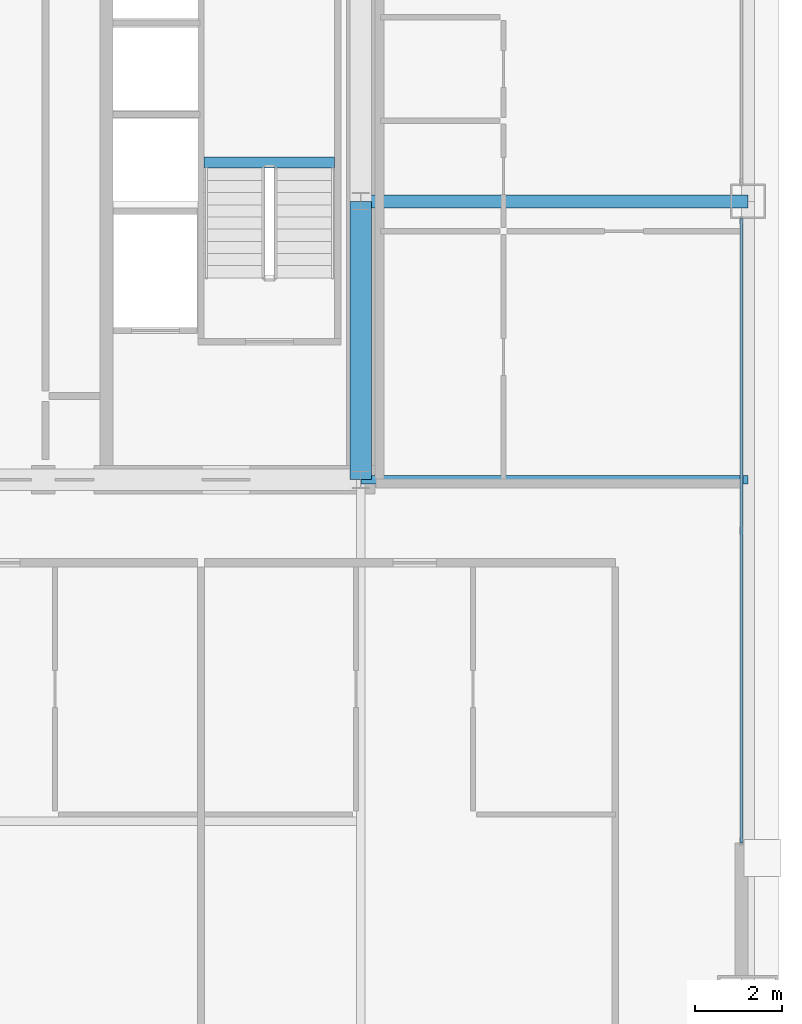
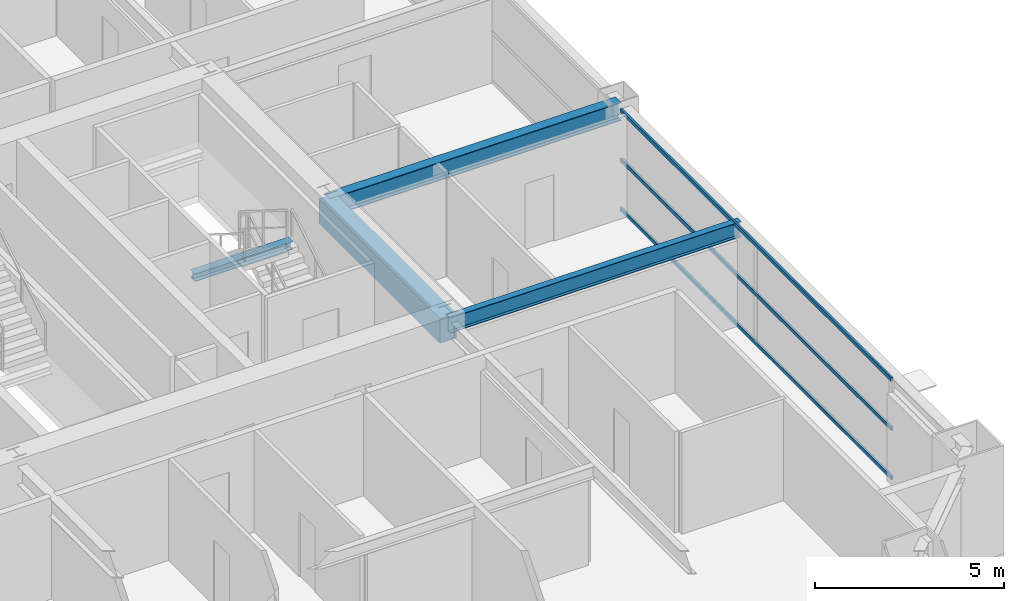
# One storey, part 19 of 38: 4 beams, 3 members, 1 element without a shape of its own.
"""IFC4 building model written with IfcOpenShell, lengths in metres."""

from ifc_helpers import new_model, si_unit, direction, frame, origin, origin_2d, place, context, subcontext, project, spatial, rectangle, hollow_rectangle, i_section, extrude, source, transform, mapped, material, layer, layer_set, material_profile, profile_set, type_object, element, aggregate, save


model = new_model("IFC4")

# Units and contexts
model_context = context("Model", 3, precision=1e-05, world=origin(), true_north=direction((0.0, 1.0)))
body_context = subcontext(model_context, "Body", "Model", "MODEL_VIEW")
ifc_project = project(units=[si_unit("LENGTHUNIT", "METRE"), si_unit("AREAUNIT", "SQUARE_METRE"), si_unit("VOLUMEUNIT", "CUBIC_METRE"), si_unit("PLANEANGLEUNIT", "RADIAN"), si_unit("MASSUNIT", "GRAM", prefix="KILO"), si_unit("THERMODYNAMICTEMPERATUREUNIT", "KELVIN"), si_unit("POWERUNIT", "WATT")], contexts=[model_context])

# Site, building, storey
site_placement = place(None, origin())
site = spatial("IfcSite", under=ifc_project, at=site_placement, CompositionType="ELEMENT")
building_placement = place(site_placement, origin())
building = spatial("IfcBuilding", under=site, at=building_placement, Name="Yuzanri Waterfront Tower", CompositionType="ELEMENT")
storey_placement = place(building_placement, frame((0.0, 0.0, 181.0)))
storey = spatial("IfcBuildingStorey", under=building, at=storey_placement, Name="L47", CompositionType="ELEMENT", Elevation=181.0)

# Beams
ifc_material_1 = material(Name="Steel Q355B", Category="steel")
ifc_material_profile_1 = material_profile(ifc_material_1, i_section(OverallWidth=0.300048828125, OverallDepth=0.587890625, WebThickness=0.011962890625, FlangeThickness=0.02001953125, at=origin_2d()), Name="HM 588x300x12x20")
ifc_profile_set_1 = profile_set([ifc_material_profile_1], Name="Steel Q355B")
beam_type_1 = type_object("IfcBeamType", Name="Primary Floor Girder Q355B HM 588x300", PredefinedType="BEAM", material=ifc_profile_set_1)
shared_shape_1 = source(origin(), body_context, "Body", "SweptSolid", [
    extrude(i_section(OverallWidth=0.300048828125, OverallDepth=0.587890625, WebThickness=0.011962890625, FlangeThickness=0.02001953125, at=origin_2d()), origin(), (0.0, 0.0, 1.0), 8.900146484375),
])
beam_1_placement = place(storey_placement, frame((50.199951171875, 25.800048828125, 2.986083984375), z_axis=(1.0, 0.0, 0.0), x_axis=(0.0, 1.0, 0.0)))
element("IfcBeam", 1, at=beam_1_placement, inside=storey, type_object=beam_type_1, Name="L47 East Grid Girder", PredefinedType="BEAM", context=body_context, shape_type="MappedRepresentation", body=[
    mapped(shared_shape_1, transform((0.0, 0.0, 0.0), scale=1.0)),
])
ifc_material_2 = material(Name="Steel Q355B", Category="steel")
ifc_material_profile_2 = material_profile(ifc_material_2, i_section(OverallWidth=0.199951171875, OverallDepth=0.5, WebThickness=0.010009765625, FlangeThickness=0.01611328125, at=origin_2d()), Name="HN 500x200x10x16")
ifc_profile_set_2 = profile_set([ifc_material_profile_2], Name="Steel Q355B")
beam_type_2 = type_object("IfcBeamType", Name="Secondary Floor Beam Q355B HN 500x200", PredefinedType="BEAM", material=ifc_profile_set_2)
shared_shape_2 = source(origin(), body_context, "Body", "SweptSolid", [
    extrude(i_section(OverallWidth=0.199951171875, OverallDepth=0.5, WebThickness=0.010009765625, FlangeThickness=0.01611328125, at=origin_2d()), origin(), (0.0, 0.0, 1.0), 8.900146484375),
])
beam_2_placement = place(storey_placement, frame((50.199951171875, 19.39990234375, 3.030029296875), z_axis=(1.0, 0.0, 0.0), x_axis=(0.0, 1.0, 0.0)))
element("IfcBeam", 2, at=beam_2_placement, inside=storey, type_object=beam_type_2, Name="L47 East-South Core Line Beam", PredefinedType="BEAM", context=body_context, shape_type="MappedRepresentation", body=[
    mapped(shared_shape_2, transform((0.0, 0.0, 0.0), scale=1.0)),
])
ifc_material_3 = material(Name="Concrete C50", Category="concrete")
ifc_material_profile_3 = material_profile(ifc_material_3, rectangle(XDim=0.5, YDim=0.800048828125, at=origin_2d()), Name="RC 500x800")
ifc_profile_set_3 = profile_set([ifc_material_profile_3], Name="Concrete C50")
beam_type_3 = type_object("IfcBeamType", Name="Core Coupling Lintel Concrete C50 500x800", PredefinedType="LINTEL", material=ifc_profile_set_3)
shared_shape_3 = source(origin(), body_context, "Body", "SweptSolid", [
    extrude(rectangle(XDim=0.5, YDim=0.800048828125, at=origin_2d()), origin(), (0.0, 0.0, 1.0), 6.400146484375),
])
beam_3_placement = place(storey_placement, frame((50.199951171875, 19.39990234375, 2.8798828125), z_axis=(0.0, 1.0, 0.0), x_axis=(-1.0, 0.0, 0.0)))
element("IfcBeam", 3, at=beam_3_placement, inside=storey, type_object=beam_type_3, Name="L47 Core Tie Beam CE1", PredefinedType="LINTEL", context=body_context, shape_type="MappedRepresentation", body=[
    mapped(shared_shape_3, transform((0.0, 0.0, 0.0), scale=1.0)),
])

# Curtain wall, members
ifc_material_4 = material(Name="Anodized Architectural Bronze", Category="metal")
ifc_layer = layer(ifc_material_4, 0.159912109375)
ifc_layer_set = layer_set([ifc_layer], Name="Anodized Architectural Bronze")
curtain_wall_type = type_object("IfcCurtainWallType", Name="Anodized Bronze Mid-Rise Residential Acoustic Unitized Curtain Wall 7200", PredefinedType="NOTDEFINED", material=ifc_layer_set)
curtain_wall_placement = place(storey_placement, origin())
curtain_wall = element("IfcCurtainWall", 4, at=curtain_wall_placement, inside=storey, type_object=curtain_wall_type, Name="L47 Curtain Wall CW-L47-EL", PredefinedType="NOTDEFINED")
ifc_material_5 = material(Name="Anodized Architectural Bronze", Category="metal")
ifc_material_profile_4 = material_profile(ifc_material_5, hollow_rectangle(XDim=0.06494140625, YDim=0.1201171875, WallThickness=0.00341796875, at=origin_2d()), Name="CWT 65x120")
ifc_profile_set_4 = profile_set([ifc_material_profile_4], Name="Anodized Architectural Bronze")
member_type = type_object("IfcMemberType", Name="Anodized Bronze Secondary Curtain-Wall Transom 65x120", PredefinedType="USERDEFINED", material=ifc_profile_set_4)
shared_shape_4 = source(origin(), body_context, "Body", "SweptSolid", [
    extrude(hollow_rectangle(XDim=0.06494140625, YDim=0.1201171875, WallThickness=0.00341796875, at=origin_2d()), origin(), (0.0, 0.0, 1.0), 14.349853515625),
])
member_1_placement = place(storey_placement, frame((58.949951171875, 11.050048828125, 0.050048828125), z_axis=(0.0, 1.0, 0.0), x_axis=(-1.0, 0.0, 0.0)))
member_1 = element("IfcMember", 5, at=member_1_placement, type_object=member_type, Name="CW-L47-EL Transom 1", ObjectType="TRANSOM", PredefinedType="USERDEFINED", context=body_context, shape_type="MappedRepresentation", body=[
    mapped(shared_shape_4, transform((0.0, 0.0, 0.0), scale=1.0)),
])
member_2_placement = place(storey_placement, frame((58.949951171875, 11.050048828125, 1.639892578125), z_axis=(0.0, 1.0, 0.0), x_axis=(-1.0, 0.0, 0.0)))
member_2 = element("IfcMember", 6, at=member_2_placement, type_object=member_type, Name="CW-L47-EL Transom 2", ObjectType="TRANSOM", PredefinedType="USERDEFINED", context=body_context, shape_type="MappedRepresentation", body=[
    mapped(shared_shape_4, transform((0.0, 0.0, 0.0), scale=1.0)),
])
member_3_placement = place(storey_placement, frame((58.949951171875, 11.050048828125, 3.22998046875), z_axis=(0.0, 1.0, 0.0), x_axis=(-1.0, 0.0, 0.0)))
member_3 = element("IfcMember", 7, at=member_3_placement, type_object=member_type, Name="CW-L47-EL Transom 3", ObjectType="TRANSOM", PredefinedType="USERDEFINED", context=body_context, shape_type="MappedRepresentation", body=[
    mapped(shared_shape_4, transform((0.0, 0.0, 0.0), scale=1.0)),
])
aggregate(curtain_wall, [member_1, member_2, member_3])

# Beam
ifc_material_6 = material(Name="Steel Q355B", Category="steel")
ifc_material_profile_5 = material_profile(ifc_material_6, i_section(OverallWidth=0.25, OverallDepth=0.25, WebThickness=0.009033203125, FlangeThickness=0.013916015625, at=origin_2d()), Name="HW 250x250x9x14")
ifc_profile_set_5 = profile_set([ifc_material_profile_5], Name="Steel Q355B")
beam_type_4 = type_object("IfcBeamType", Name="Stair Landing Support Beam Q355B HW 250x250", PredefinedType="BEAM", material=ifc_profile_set_5)
shared_shape_5 = source(origin(), body_context, "Body", "SweptSolid", [
    extrude(i_section(OverallWidth=0.25, OverallDepth=0.25, WebThickness=0.009033203125, FlangeThickness=0.013916015625, at=origin_2d()), origin(), (0.0, 0.0, 1.0), 3.0),
])
beam_4_placement = place(storey_placement, frame((46.60009765625, 26.68994140625, 1.425048828125), z_axis=(1.0, 0.0, 0.0), x_axis=(0.0, 1.0, 0.0)))
element("IfcBeam", 8, at=beam_4_placement, inside=storey, type_object=beam_type_4, Name="L47 Stair Landing Support Beam ST-02-L47-L1-1", PredefinedType="BEAM", context=body_context, shape_type="MappedRepresentation", body=[
    mapped(shared_shape_5, transform((0.0, 0.0, 0.0), scale=1.0)),
])

save(model, "model.ifc")
